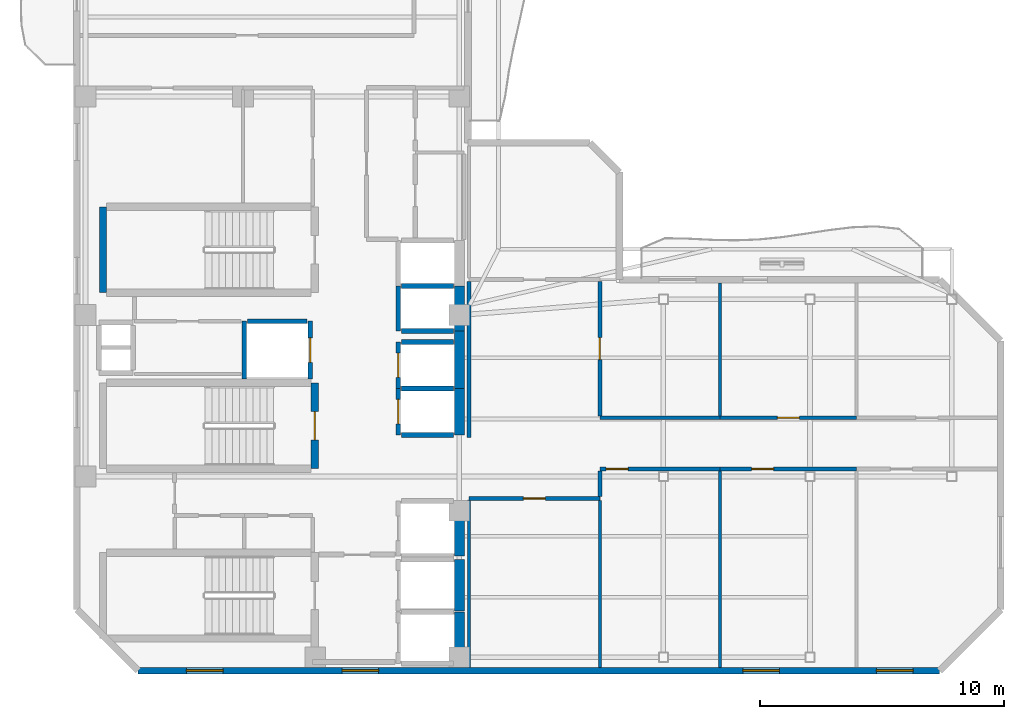
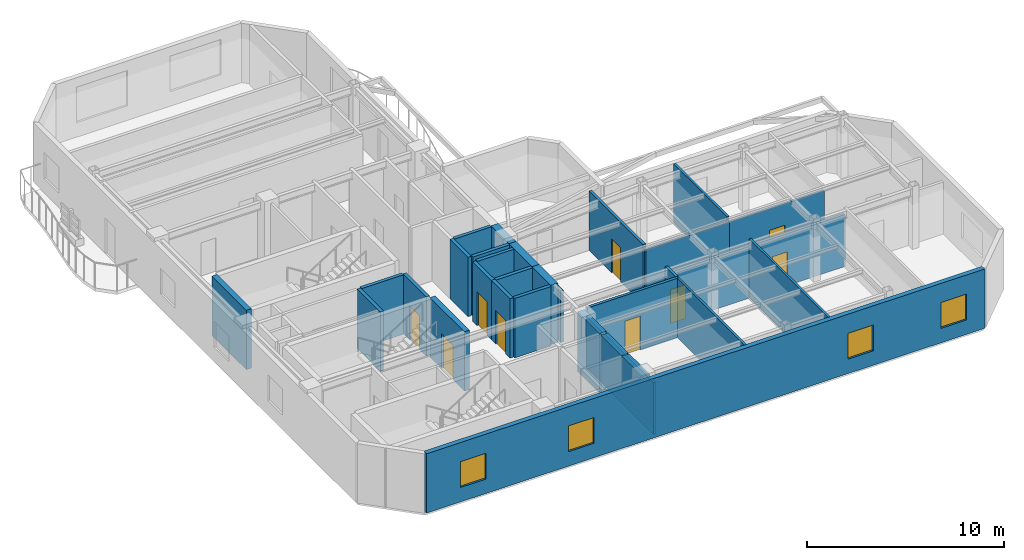
# One storey, part 3 of 7: 32 walls, 9 doors, 4 windows, 13 openings.
"""IFC4 building model written with IfcOpenShell, lengths in metres."""

from ifc_helpers import new_model, si_unit, direction, frame, frame_2d, origin, place, context, subcontext, project, spatial, rectangle, extrude, material, layer, layer_set, type_object, element, fill, save


model = new_model("IFC4")

# Units and contexts
model_context = context("Model", 3, precision=1e-05, world=origin(), true_north=direction((0.0, 1.0)))
body_context = subcontext(model_context, "Body", "Model", "MODEL_VIEW")
ifc_project = project(units=[si_unit("LENGTHUNIT", "METRE"), si_unit("AREAUNIT", "SQUARE_METRE"), si_unit("VOLUMEUNIT", "CUBIC_METRE"), si_unit("PLANEANGLEUNIT", "RADIAN"), si_unit("MASSUNIT", "GRAM", prefix="KILO")], contexts=[model_context])

# Site, building, storey
site_placement = place(None, origin())
site = spatial("IfcSite", under=ifc_project, at=site_placement, CompositionType="ELEMENT")
building_placement = place(site_placement, origin())
building = spatial("IfcBuilding", under=site, at=building_placement, Name="Mawjaban Terraces University", CompositionType="ELEMENT")
storey_placement = place(building_placement, frame((0.0, 0.0, 298.89990234375)))
storey = spatial("IfcBuildingStorey", under=building, at=storey_placement, Name="L73", CompositionType="ELEMENT", Elevation=298.89990234375)

# Walls
ifc_material_1 = material(Name="Concrete C50/60", Category="concrete")
ifc_layer_1 = layer(ifc_material_1, 0.419921875)
ifc_layer_set_1 = layer_set([ifc_layer_1], Name="Concrete C50/60")
wall_type_1 = type_object("IfcWallType", Name="CoreShearWall_420", PredefinedType="SHEAR", material=ifc_layer_set_1)
wall_1_placement = place(storey_placement, frame((37.659912109375, 0.300048828125, 0.0), z_axis=(0.0, 0.0, 1.0), x_axis=(0.0, 1.0, 0.0)))
element("IfcWall", 1, at=wall_1_placement, inside=storey, type_object=wall_type_1, Name="L73 Lift FL-1 Hoistway Wall East", PredefinedType="SHEAR", context=body_context, shape_type="SweptSolid", body=[
    extrude(rectangle(XDim=2.099853515625, YDim=0.419921875, at=frame_2d((1.0498046875, 0.0))), origin(), (0.0, 0.0, 1.0), 3.690185546875),
])
wall_2_placement = place(storey_placement, frame((37.659912109375, 2.449951171875, 0.0), z_axis=(0.0, 0.0, 1.0), x_axis=(0.0, 1.0, 0.0)))
element("IfcWall", 2, at=wall_2_placement, inside=storey, type_object=wall_type_1, Name="L73 Lift FL-2 Hoistway Wall East", PredefinedType="SHEAR", context=body_context, shape_type="SweptSolid", body=[
    extrude(rectangle(XDim=2.10009765625, YDim=0.419921875, at=frame_2d((1.050048828125, 0.0))), origin(), (0.0, 0.0, 1.0), 3.690185546875),
])
wall_3_placement = place(storey_placement, frame((37.659912109375, 4.699951171875, 0.0), z_axis=(0.0, 0.0, 1.0), x_axis=(0.0, 1.0, 0.0)))
element("IfcWall", 3, at=wall_3_placement, inside=storey, type_object=wall_type_1, Name="L73 Lift SL-1 Hoistway Wall East", PredefinedType="SHEAR", context=body_context, shape_type="SweptSolid", body=[
    extrude(rectangle(XDim=2.25, YDim=0.419921875, at=frame_2d((1.125, 0.0))), origin(), (0.0, 0.0, 1.0), 3.690185546875),
])
wall_4_placement = place(storey_placement, frame((37.659912109375, 9.64990234375, 0.0), z_axis=(0.0, 0.0, 1.0), x_axis=(0.0, 1.0, 0.0)))
element("IfcWall", 4, at=wall_4_placement, inside=storey, type_object=wall_type_1, Name="L73 Lift PL-H1 Hoistway Wall East", PredefinedType="SHEAR", context=body_context, shape_type="SweptSolid", body=[
    extrude(rectangle(XDim=1.900146484375, YDim=0.419921875, at=frame_2d((0.9501953125, 0.0))), origin(), (0.0, 0.0, 1.0), 3.690185546875),
])
wall_5_placement = place(storey_placement, frame((37.659912109375, 11.550048828125, 0.0), z_axis=(0.0, 0.0, 1.0), x_axis=(0.0, 1.0, 0.0)))
element("IfcWall", 5, at=wall_5_placement, inside=storey, type_object=wall_type_1, Name="L73 Lift PL-H2 Hoistway Wall East", PredefinedType="SHEAR", context=body_context, shape_type="SweptSolid", body=[
    extrude(rectangle(XDim=2.349853515625, YDim=0.419921875, at=frame_2d((1.1748046875, 0.0))), origin(), (0.0, 0.0, 1.0), 3.690185546875),
])
wall_6_placement = place(storey_placement, frame((37.659912109375, 13.89990234375, 0.0), z_axis=(0.0, 0.0, 1.0), x_axis=(0.0, 1.0, 0.0)))
element("IfcWall", 6, at=wall_6_placement, inside=storey, type_object=wall_type_1, Name="L73 Lift OL-1 Hoistway Wall East", PredefinedType="SHEAR", context=body_context, shape_type="SweptSolid", body=[
    extrude(rectangle(XDim=1.85009765625, YDim=0.419921875, at=frame_2d((0.925048828125, 0.0))), origin(), (0.0, 0.0, 1.0), 3.690185546875),
])

# Wall, opening, door
ifc_material_2 = material(Name="Fire-rated gypsum board on steel stud", Category="steel")
ifc_layer_2 = layer(ifc_material_2, 0.159912109375)
ifc_layer_set_2 = layer_set([ifc_layer_2], Name="Fire-rated gypsum board on steel stud")
wall_type_2 = type_object("IfcWallType", Name="CorridorPartition_160", PredefinedType="PARTITIONING", material=ifc_layer_set_2)
wall_7_placement = place(storey_placement, frame((38.050048828125, 7.050048828125, 0.0), z_axis=(0.0, 0.0, 1.0), x_axis=(1.0, 0.0, 0.0)))
wall_7 = element("IfcWall", 7, at=wall_7_placement, inside=storey, type_object=wall_type_2, Name="L73 Upper Research Hub Concourse Partition 16", PredefinedType="PARTITIONING", context=body_context, shape_type="SweptSolid", body=[
    extrude(rectangle(XDim=5.349853515625, YDim=0.159912109375, at=frame_2d((2.6748046875, 0.0))), origin(), (0.0, 0.0, 1.0), 3.690185546875),
])
opening_1_placement = place(wall_7_placement, frame((2.22509765625, 0.0, 0.0)))
opening_1 = element("IfcOpeningElement", 8, at=opening_1_placement, cuts=wall_7, Name="Opening ID-090", PredefinedType="OPENING", context=body_context, shape_type="SweptSolid", body=[
    extrude(rectangle(XDim=0.89990234375, YDim=2.10009765625, at=frame_2d((0.449951171875, 1.050048828125))), frame((0.0, 0.08984375, 0.0), z_axis=(0.0, -1.0, 0.0), x_axis=(1.0, 0.0, 0.0)), (0.0, 0.0, 1.0), 0.179931640625),
])
ifc_material_3 = material(Name="Powder-coated steel frame and solid acoustic timber leaf", Category="steel")
door_type_1 = type_object("IfcDoorType", Name="OfficeDoor_900x2100", OperationType="NOTDEFINED", PredefinedType="DOOR", material=ifc_material_3)
door_1_placement = place(opening_1_placement, origin())
door_1 = element("IfcDoor", 9, at=door_1_placement, inside=storey, type_object=door_type_1, Name="L73 Academic Counseling Room 1 Door", OperationType="SINGLE_SWING_LEFT", OverallHeight=2.10009765625, OverallWidth=0.89990234375, PredefinedType="DOOR", context=body_context, shape_type="SweptSolid", body=[
    extrude(rectangle(XDim=0.89990234375, YDim=2.10009765625, at=frame_2d((0.449951171875, 1.050048828125))), frame((0.0, 0.02490234375, 0.0), z_axis=(0.0, -1.0, 0.0), x_axis=(1.0, 0.0, 0.0)), (0.0, 0.0, 1.0), 0.050048828125),
])
fill(opening_1, door_1)

wall_8_placement = place(storey_placement, frame((43.39990234375, 8.25, 0.0), z_axis=(0.0, 0.0, 1.0), x_axis=(1.0, 0.0, 0.0)))
wall_8 = element("IfcWall", 10, at=wall_8_placement, inside=storey, type_object=wall_type_2, Name="L73 Upper East Research Corridor Partition 17", PredefinedType="PARTITIONING", context=body_context, shape_type="SweptSolid", body=[
    extrude(rectangle(XDim=4.920166015625, YDim=0.159912109375, at=frame_2d((2.4599609375, 0.0))), origin(), (0.0, 0.0, 1.0), 3.22705078125),
])
opening_2_placement = place(wall_8_placement, frame((0.260009765625, 0.0, 0.0)))
opening_2 = element("IfcOpeningElement", 11, at=opening_2_placement, cuts=wall_8, Name="Opening ID-090", PredefinedType="OPENING", context=body_context, shape_type="SweptSolid", body=[
    extrude(rectangle(XDim=0.89990234375, YDim=2.10009765625, at=frame_2d((0.449951171875, 1.050048828125))), frame((0.0, 0.08984375, 0.0), z_axis=(0.0, -1.0, 0.0), x_axis=(1.0, 0.0, 0.0)), (0.0, 0.0, 1.0), 0.179931640625),
])
door_2_placement = place(opening_2_placement, origin())
door_2 = element("IfcDoor", 12, at=door_2_placement, inside=storey, type_object=door_type_1, Name="L73 Academic Counseling Room 2 Door", OperationType="SINGLE_SWING_RIGHT", OverallHeight=2.10009765625, OverallWidth=0.89990234375, PredefinedType="DOOR", context=body_context, shape_type="SweptSolid", body=[
    extrude(rectangle(XDim=0.89990234375, YDim=2.10009765625, at=frame_2d((0.449951171875, 1.050048828125))), frame((0.0, 0.02490234375, 0.0), z_axis=(0.0, -1.0, 0.0), x_axis=(1.0, 0.0, 0.0)), (0.0, 0.0, 1.0), 0.050048828125),
])
fill(opening_2, door_2)

wall_9_placement = place(storey_placement, frame((48.320068359375, 8.25, 0.0), z_axis=(0.0, 0.0, 1.0), x_axis=(1.0, 0.0, 0.0)))
wall_9 = element("IfcWall", 13, at=wall_9_placement, inside=storey, type_object=wall_type_2, Name="L73 Upper East Research Corridor Partition 19", PredefinedType="PARTITIONING", context=body_context, shape_type="SweptSolid", body=[
    extrude(rectangle(XDim=5.579833984375, YDim=0.159912109375, at=frame_2d((2.7900390625, 0.0))), origin(), (0.0, 0.0, 1.0), 3.22705078125),
])
opening_3_placement = place(wall_9_placement, frame((1.2900390625, 0.0, 0.0)))
opening_3 = element("IfcOpeningElement", 14, at=opening_3_placement, cuts=wall_9, Name="Opening ID-090", PredefinedType="OPENING", context=body_context, shape_type="SweptSolid", body=[
    extrude(rectangle(XDim=0.89990234375, YDim=2.10009765625, at=frame_2d((0.449951171875, 1.050048828125))), frame((0.0, 0.08984375, 0.0), z_axis=(0.0, -1.0, 0.0), x_axis=(1.0, 0.0, 0.0)), (0.0, 0.0, 1.0), 0.179931640625),
])
door_3_placement = place(opening_3_placement, origin())
door_3 = element("IfcDoor", 15, at=door_3_placement, inside=storey, type_object=door_type_1, Name="L73 Academic Counseling Room 4 Door", OperationType="SINGLE_SWING_RIGHT", OverallHeight=2.10009765625, OverallWidth=0.89990234375, PredefinedType="DOOR", context=body_context, shape_type="SweptSolid", body=[
    extrude(rectangle(XDim=0.89990234375, YDim=2.10009765625, at=frame_2d((0.449951171875, 1.050048828125))), frame((0.0, 0.02490234375, 0.0), z_axis=(0.0, -1.0, 0.0), x_axis=(1.0, 0.0, 0.0)), (0.0, 0.0, 1.0), 0.050048828125),
])
fill(opening_3, door_3)

# Wall
wall_10_placement = place(storey_placement, frame((48.320068359375, 10.35009765625, 0.0), z_axis=(0.0, 0.0, 1.0), x_axis=(-1.0, 0.0, 0.0)))
element("IfcWall", 16, at=wall_10_placement, inside=storey, type_object=wall_type_2, Name="L73 Upper East Research Corridor Partition 20", PredefinedType="PARTITIONING", context=body_context, shape_type="SweptSolid", body=[
    extrude(rectangle(XDim=4.920166015625, YDim=0.159912109375, at=frame_2d((2.4599609375, 0.0))), origin(), (0.0, 0.0, 1.0), 3.424072265625),
])

# Wall, opening, door
wall_11_placement = place(storey_placement, frame((53.89990234375, 10.35009765625, 0.0), z_axis=(0.0, 0.0, 1.0), x_axis=(-1.0, 0.0, 0.0)))
wall_11 = element("IfcWall", 17, at=wall_11_placement, inside=storey, type_object=wall_type_2, Name="L73 Upper East Research Corridor Partition 22", PredefinedType="PARTITIONING", context=body_context, shape_type="SweptSolid", body=[
    extrude(rectangle(XDim=5.579833984375, YDim=0.159912109375, at=frame_2d((2.7900390625, 0.0))), origin(), (0.0, 0.0, 1.0), 3.424072265625),
])
opening_4_placement = place(wall_11_placement, frame((2.340087890625, 0.0, 0.0)))
opening_4 = element("IfcOpeningElement", 18, at=opening_4_placement, cuts=wall_11, Name="Opening ID-090", PredefinedType="OPENING", context=body_context, shape_type="SweptSolid", body=[
    extrude(rectangle(XDim=0.89990234375, YDim=2.10009765625, at=frame_2d((0.449951171875, 1.050048828125))), frame((0.0, 0.08984375, 0.0), z_axis=(0.0, -1.0, 0.0), x_axis=(1.0, 0.0, 0.0)), (0.0, 0.0, 1.0), 0.179931640625),
])
door_4_placement = place(opening_4_placement, origin())
door_4 = element("IfcDoor", 19, at=door_4_placement, inside=storey, type_object=door_type_1, Name="L73 Faculty Office 5 Door", OperationType="SINGLE_SWING_LEFT", OverallHeight=2.10009765625, OverallWidth=0.89990234375, PredefinedType="DOOR", context=body_context, shape_type="SweptSolid", body=[
    extrude(rectangle(XDim=0.89990234375, YDim=2.10009765625, at=frame_2d((0.449951171875, 1.050048828125))), frame((0.0, 0.02490234375, 0.0), z_axis=(0.0, -1.0, 0.0), x_axis=(1.0, 0.0, 0.0)), (0.0, 0.0, 1.0), 0.050048828125),
])
fill(opening_4, door_4)

# Walls
wall_12_placement = place(storey_placement, frame((38.050048828125, 15.925048828125, 0.0), z_axis=(0.0, 0.0, 1.0), x_axis=(0.0, -1.0, 0.0)))
element("IfcWall", 20, at=wall_12_placement, inside=storey, type_object=wall_type_2, Name="L73 Upper Research Hub Concourse Partition 39", PredefinedType="PARTITIONING", context=body_context, shape_type="SweptSolid", body=[
    extrude(rectangle(XDim=6.375, YDim=0.159912109375, at=frame_2d((3.1875, 0.0))), origin(), (0.0, 0.0, 1.0), 3.22705078125),
])
wall_13_placement = place(storey_placement, frame((43.39990234375, 7.125, 0.0), z_axis=(0.0, 0.0, 1.0), x_axis=(0.0, 1.0, 0.0)))
element("IfcWall", 21, at=wall_13_placement, inside=storey, type_object=wall_type_2, Name="L73 Upper Research Hub Concourse Partition 42", PredefinedType="PARTITIONING", context=body_context, shape_type="SweptSolid", body=[
    extrude(rectangle(XDim=1.050048828125, YDim=0.159912109375, at=frame_2d((0.52490234375, 0.0))), origin(), (0.0, 0.0, 1.0), 3.690185546875),
])

# Wall, opening, door
wall_14_placement = place(storey_placement, frame((43.39990234375, 10.425048828125, 0.0), z_axis=(0.0, 0.0, 1.0), x_axis=(0.0, 1.0, 0.0)))
wall_14 = element("IfcWall", 22, at=wall_14_placement, inside=storey, type_object=wall_type_2, Name="L73 Upper Research Hub Concourse Partition 43", PredefinedType="PARTITIONING", context=body_context, shape_type="SweptSolid", body=[
    extrude(rectangle(XDim=5.5, YDim=0.159912109375, at=frame_2d((2.75, 0.0))), origin(), (0.0, 0.0, 1.0), 3.690185546875),
])
opening_5_placement = place(wall_14_placement, frame((2.300048828125, 0.0, 0.0)))
opening_5 = element("IfcOpeningElement", 23, at=opening_5_placement, cuts=wall_14, Name="Opening ID-090", PredefinedType="OPENING", context=body_context, shape_type="SweptSolid", body=[
    extrude(rectangle(XDim=0.89990234375, YDim=2.10009765625, at=frame_2d((0.449951171875, 1.050048828125))), frame((0.0, 0.08984375, 0.0), z_axis=(0.0, -1.0, 0.0), x_axis=(1.0, 0.0, 0.0)), (0.0, 0.0, 1.0), 0.179931640625),
])
door_5_placement = place(opening_5_placement, origin())
door_5 = element("IfcDoor", 24, at=door_5_placement, inside=storey, type_object=door_type_1, Name="L73 Academic Counseling Room 3 Door", OperationType="SINGLE_SWING_LEFT", OverallHeight=2.10009765625, OverallWidth=0.89990234375, PredefinedType="DOOR", context=body_context, shape_type="SweptSolid", body=[
    extrude(rectangle(XDim=0.89990234375, YDim=2.10009765625, at=frame_2d((0.449951171875, 1.050048828125))), frame((0.0, 0.02490234375, 0.0), z_axis=(0.0, -1.0, 0.0), x_axis=(1.0, 0.0, 0.0)), (0.0, 0.0, 1.0), 0.050048828125),
])
fill(opening_5, door_5)

# Wall, openings, windows
ifc_material_4 = material(Name="Insulated terracotta rainscreen on concrete backup C40/50", Category="masonry")
ifc_layer_3 = layer(ifc_material_4, 0.27490234375)
ifc_layer_set_3 = layer_set([ifc_layer_3], Name="Insulated terracotta rainscreen on concrete backup C40/50")
wall_type_3 = type_object("IfcWallType", Name="ExtTerracottaWall_275", PredefinedType="SOLIDWALL", material=ifc_layer_set_3)
wall_15_placement = place(storey_placement, frame((24.5, 0.0, 0.0), z_axis=(0.0, 0.0, 1.0), x_axis=(1.0, 0.0, 0.0)))
wall_15 = element("IfcWall", 25, at=wall_15_placement, inside=storey, type_object=wall_type_3, Name="L73 Exterior Terracotta Wall 1", PredefinedType="SOLIDWALL", context=body_context, shape_type="SweptSolid", body=[
    extrude(rectangle(XDim=32.800048828125, YDim=0.27490234375, at=frame_2d((16.39990234375, 0.0))), origin(), (0.0, 0.0, 1.0), 3.690185546875),
])
opening_6_placement = place(wall_15_placement, frame((1.98291015625, 0.0, 0.89990234375)))
opening_6 = element("IfcOpeningElement", 26, at=opening_6_placement, cuts=wall_15, Name="Opening W-02", PredefinedType="OPENING", context=body_context, shape_type="SweptSolid", body=[
    extrude(rectangle(XDim=1.5, YDim=1.60009765625, at=frame_2d((0.75, 0.800048828125))), frame((0.0, 0.1474609375, 0.0), z_axis=(0.0, -1.0, 0.0), x_axis=(1.0, 0.0, 0.0)), (0.0, 0.0, 1.0), 0.294921875),
])
opening_7_placement = place(wall_15_placement, frame((8.35009765625, 0.0, 0.89990234375)))
opening_7 = element("IfcOpeningElement", 27, at=opening_7_placement, cuts=wall_15, Name="Opening W-02", PredefinedType="OPENING", context=body_context, shape_type="SweptSolid", body=[
    extrude(rectangle(XDim=1.5, YDim=1.60009765625, at=frame_2d((0.75, 0.800048828125))), frame((0.0, 0.1474609375, 0.0), z_axis=(0.0, -1.0, 0.0), x_axis=(1.0, 0.0, 0.0)), (0.0, 0.0, 1.0), 0.294921875),
])
opening_8_placement = place(wall_15_placement, frame((24.75, 0.0, 0.89990234375)))
opening_8 = element("IfcOpeningElement", 28, at=opening_8_placement, cuts=wall_15, Name="Opening W-02", PredefinedType="OPENING", context=body_context, shape_type="SweptSolid", body=[
    extrude(rectangle(XDim=1.5, YDim=1.60009765625, at=frame_2d((0.75, 0.800048828125))), frame((0.0, 0.1474609375, 0.0), z_axis=(0.0, -1.0, 0.0), x_axis=(1.0, 0.0, 0.0)), (0.0, 0.0, 1.0), 0.294921875),
])
opening_9_placement = place(wall_15_placement, frame((30.217041015625, 0.0, 0.89990234375)))
opening_9 = element("IfcOpeningElement", 29, at=opening_9_placement, cuts=wall_15, Name="Opening W-02", PredefinedType="OPENING", context=body_context, shape_type="SweptSolid", body=[
    extrude(rectangle(XDim=1.5, YDim=1.60009765625, at=frame_2d((0.75, 0.800048828125))), frame((0.0, 0.1474609375, 0.0), z_axis=(0.0, -1.0, 0.0), x_axis=(1.0, 0.0, 0.0)), (0.0, 0.0, 1.0), 0.294921875),
])
ifc_material_5 = material(Name="Low-E solar-control double glazing in thermally broken aluminium frame", Category="aluminium")
window_type = type_object("IfcWindowType", Name="Win_1500x1600", PartitioningType="SINGLE_PANEL", PredefinedType="WINDOW", material=ifc_material_5)
window_1_placement = place(opening_6_placement, origin())
window_1 = element("IfcWindow", 30, at=window_1_placement, inside=storey, type_object=window_type, Name="L73 Facade Window 1.1", OverallHeight=1.60009765625, OverallWidth=1.5, PartitioningType="SINGLE_PANEL", PredefinedType="WINDOW", context=body_context, shape_type="SweptSolid", body=[
    extrude(rectangle(XDim=1.5, YDim=1.60009765625, at=frame_2d((0.75, 0.800048828125))), frame((0.0, 0.030029296875, 0.0), z_axis=(0.0, -1.0, 0.0), x_axis=(1.0, 0.0, 0.0)), (0.0, 0.0, 1.0), 0.06005859375),
])
fill(opening_6, window_1)
window_2_placement = place(opening_7_placement, origin())
window_2 = element("IfcWindow", 31, at=window_2_placement, inside=storey, type_object=window_type, Name="L73 Facade Window 1.2", OverallHeight=1.60009765625, OverallWidth=1.5, PartitioningType="SINGLE_PANEL", PredefinedType="WINDOW", context=body_context, shape_type="SweptSolid", body=[
    extrude(rectangle(XDim=1.5, YDim=1.60009765625, at=frame_2d((0.75, 0.800048828125))), frame((0.0, 0.030029296875, 0.0), z_axis=(0.0, -1.0, 0.0), x_axis=(1.0, 0.0, 0.0)), (0.0, 0.0, 1.0), 0.06005859375),
])
fill(opening_7, window_2)
window_3_placement = place(opening_8_placement, origin())
window_3 = element("IfcWindow", 32, at=window_3_placement, inside=storey, type_object=window_type, Name="L73 Facade Window 1.5", OverallHeight=1.60009765625, OverallWidth=1.5, PartitioningType="SINGLE_PANEL", PredefinedType="WINDOW", context=body_context, shape_type="SweptSolid", body=[
    extrude(rectangle(XDim=1.5, YDim=1.60009765625, at=frame_2d((0.75, 0.800048828125))), frame((0.0, 0.030029296875, 0.0), z_axis=(0.0, -1.0, 0.0), x_axis=(1.0, 0.0, 0.0)), (0.0, 0.0, 1.0), 0.06005859375),
])
fill(opening_8, window_3)
window_4_placement = place(opening_9_placement, origin())
window_4 = element("IfcWindow", 33, at=window_4_placement, inside=storey, type_object=window_type, Name="L73 Facade Window 1.6", OverallHeight=1.60009765625, OverallWidth=1.5, PartitioningType="SINGLE_PANEL", PredefinedType="WINDOW", context=body_context, shape_type="SweptSolid", body=[
    extrude(rectangle(XDim=1.5, YDim=1.60009765625, at=frame_2d((0.75, 0.800048828125))), frame((0.0, 0.030029296875, 0.0), z_axis=(0.0, -1.0, 0.0), x_axis=(1.0, 0.0, 0.0)), (0.0, 0.0, 1.0), 0.06005859375),
])
fill(opening_9, window_4)

# Wall, opening, door
ifc_material_6 = material(Name="Concrete C40/50", Category="concrete")
ifc_layer_4 = layer(ifc_material_6, 0.199951171875)
ifc_layer_set_4 = layer_set([ifc_layer_4], Name="Concrete C40/50")
wall_type_4 = type_object("IfcWallType", Name="FireLobbyWall_200", PredefinedType="SOLIDWALL", material=ifc_layer_set_4)
wall_16_placement = place(storey_placement, frame((35.14990234375, 11.550048828125, 0.0), z_axis=(0.0, 0.0, 1.0), x_axis=(0.0, -1.0, 0.0)))
wall_16 = element("IfcWall", 34, at=wall_16_placement, inside=storey, type_object=wall_type_4, Name="L73 Lift PL-H1 Hoistway Wall West", PredefinedType="SOLIDWALL", context=body_context, shape_type="SweptSolid", body=[
    extrude(rectangle(XDim=1.900146484375, YDim=0.199951171875, at=frame_2d((0.9501953125, 0.0))), origin(), (0.0, 0.0, 1.0), 3.690185546875),
])
opening_10_placement = place(wall_16_placement, frame((0.449951171875, 0.0, 0.0)))
opening_10 = element("IfcOpeningElement", 35, at=opening_10_placement, cuts=wall_16, Name="Opening LD-PL-H1", PredefinedType="OPENING", context=body_context, shape_type="SweptSolid", body=[
    extrude(rectangle(XDim=1.0, YDim=2.10009765625, at=frame_2d((0.5, 1.050048828125))), frame((0.0, 0.10986328125, 0.0), z_axis=(0.0, -1.0, 0.0), x_axis=(1.0, 0.0, 0.0)), (0.0, 0.0, 1.0), 0.219970703125),
])
ifc_material_7 = material(Name="Powder-coated steel frame and fire-rated steel-faced leaf", Category="steel")
door_type_2 = type_object("IfcDoorType", Name="LiftLandingSliding_1000x2100", OperationType="NOTDEFINED", PredefinedType="DOOR", material=ifc_material_7)
door_6_placement = place(opening_10_placement, origin())
door_6 = element("IfcDoor", 36, at=door_6_placement, inside=storey, type_object=door_type_2, Name="L73 Lift PL-H1 Sliding Landing Door", OperationType="DOUBLE_DOOR_SLIDING", OverallHeight=2.10009765625, OverallWidth=1.0, PredefinedType="DOOR", context=body_context, shape_type="SweptSolid", body=[
    extrude(rectangle(XDim=1.0, YDim=2.10009765625, at=frame_2d((0.5, 1.050048828125))), frame((0.0, 0.02490234375, 0.0), z_axis=(0.0, -1.0, 0.0), x_axis=(1.0, 0.0, 0.0)), (0.0, 0.0, 1.0), 0.050048828125),
])
fill(opening_10, door_6)

# Walls
for number, where, z_axis, x_axis, name in (
    (37, (35.280029296875, 9.64990234375, 0.0), (0.0, 0.0, 1.0), (1.0, 0.0, 0.0), "L73 Lift PL-H1 Hoistway Wall South"),
    (38, (37.419921875, 11.550048828125, 0.0), (0.0, 0.0, 1.0), (-1.0, 0.0, 0.0), "L73 Lift PL-H1 Hoistway Wall North"),
):
    element("IfcWall", number, at=place(storey_placement, frame(where, z_axis=z_axis, x_axis=x_axis)), inside=storey, type_object=wall_type_4, Name=name, PredefinedType="SOLIDWALL", context=body_context, shape_type="SweptSolid", body=[
        extrude(rectangle(XDim=2.139892578125, YDim=0.199951171875, at=frame_2d((1.06982421875, 0.0))), origin(), (0.0, 0.0, 1.0), 3.690185546875),
    ])

# Wall, opening, door
wall_17_placement = place(storey_placement, frame((35.14990234375, 13.449951171875, 0.0), z_axis=(0.0, 0.0, 1.0), x_axis=(0.0, -1.0, 0.0)))
wall_17 = element("IfcWall", 39, at=wall_17_placement, inside=storey, type_object=wall_type_4, Name="L73 Lift PL-H2 Hoistway Wall West", PredefinedType="SOLIDWALL", context=body_context, shape_type="SweptSolid", body=[
    extrude(rectangle(XDim=1.89990234375, YDim=0.199951171875, at=frame_2d((0.949951171875, 0.0))), origin(), (0.0, 0.0, 1.0), 3.690185546875),
])
opening_11_placement = place(wall_17_placement, frame((0.449951171875, 0.0, 0.0)))
opening_11 = element("IfcOpeningElement", 40, at=opening_11_placement, cuts=wall_17, Name="Opening LD-PL-H2", PredefinedType="OPENING", context=body_context, shape_type="SweptSolid", body=[
    extrude(rectangle(XDim=1.0, YDim=2.10009765625, at=frame_2d((0.5, 1.050048828125))), frame((0.0, 0.10986328125, 0.0), z_axis=(0.0, -1.0, 0.0), x_axis=(1.0, 0.0, 0.0)), (0.0, 0.0, 1.0), 0.219970703125),
])
door_7_placement = place(opening_11_placement, origin())
door_7 = element("IfcDoor", 41, at=door_7_placement, inside=storey, type_object=door_type_2, Name="L73 Lift PL-H2 Sliding Landing Door", OperationType="DOUBLE_DOOR_SLIDING", OverallHeight=2.10009765625, OverallWidth=1.0, PredefinedType="DOOR", context=body_context, shape_type="SweptSolid", body=[
    extrude(rectangle(XDim=1.0, YDim=2.10009765625, at=frame_2d((0.5, 1.050048828125))), frame((0.0, 0.02490234375, 0.0), z_axis=(0.0, -1.0, 0.0), x_axis=(1.0, 0.0, 0.0)), (0.0, 0.0, 1.0), 0.050048828125),
])
fill(opening_11, door_7)

# Walls
wall_18_placement = place(storey_placement, frame((37.419921875, 13.449951171875, 0.0), z_axis=(0.0, 0.0, 1.0), x_axis=(-1.0, 0.0, 0.0)))
element("IfcWall", 42, at=wall_18_placement, inside=storey, type_object=wall_type_4, Name="L73 Lift PL-H2 Hoistway Wall North", PredefinedType="SOLIDWALL", context=body_context, shape_type="SweptSolid", body=[
    extrude(rectangle(XDim=2.139892578125, YDim=0.199951171875, at=frame_2d((1.06982421875, 0.0))), origin(), (0.0, 0.0, 1.0), 3.690185546875),
])
wall_19_placement = place(storey_placement, frame((28.85009765625, 14.300048828125, 0.0), z_axis=(0.0, 0.0, 1.0), x_axis=(0.0, -1.0, 0.0)))
element("IfcWall", 43, at=wall_19_placement, inside=storey, type_object=wall_type_4, Name="L73 Lift PL-H3 Hoistway Wall West", PredefinedType="SOLIDWALL", context=body_context, shape_type="SweptSolid", body=[
    extrude(rectangle(XDim=2.3701171875, YDim=0.199951171875, at=frame_2d((1.18505859375, 0.0))), origin(), (0.0, 0.0, 1.0), 3.690185546875),
])

# Wall, opening, door
wall_20_placement = place(storey_placement, frame((31.550048828125, 11.929931640625, 0.0), z_axis=(0.0, 0.0, 1.0), x_axis=(0.0, 1.0, 0.0)))
wall_20 = element("IfcWall", 44, at=wall_20_placement, inside=storey, type_object=wall_type_4, Name="L73 Lift PL-H3 Hoistway Wall East", PredefinedType="SOLIDWALL", context=body_context, shape_type="SweptSolid", body=[
    extrude(rectangle(XDim=2.3701171875, YDim=0.199951171875, at=frame_2d((1.18505859375, 0.0))), origin(), (0.0, 0.0, 1.0), 3.690185546875),
])
opening_12_placement = place(wall_20_placement, frame((0.68505859375, 0.0, 0.0)))
opening_12 = element("IfcOpeningElement", 45, at=opening_12_placement, cuts=wall_20, Name="Opening LD-PL-H3", PredefinedType="OPENING", context=body_context, shape_type="SweptSolid", body=[
    extrude(rectangle(XDim=1.0, YDim=2.10009765625, at=frame_2d((0.5, 1.050048828125))), frame((0.0, 0.10986328125, 0.0), z_axis=(0.0, -1.0, 0.0), x_axis=(1.0, 0.0, 0.0)), (0.0, 0.0, 1.0), 0.219970703125),
])
door_8_placement = place(opening_12_placement, origin())
door_8 = element("IfcDoor", 46, at=door_8_placement, inside=storey, type_object=door_type_2, Name="L73 Lift PL-H3 Sliding Landing Door", OperationType="DOUBLE_DOOR_SLIDING", OverallHeight=2.10009765625, OverallWidth=1.0, PredefinedType="DOOR", context=body_context, shape_type="SweptSolid", body=[
    extrude(rectangle(XDim=1.0, YDim=2.10009765625, at=frame_2d((0.5, 1.050048828125))), frame((0.0, 0.02490234375, 0.0), z_axis=(0.0, -1.0, 0.0), x_axis=(1.0, 0.0, 0.0)), (0.0, 0.0, 1.0), 0.050048828125),
])
fill(opening_12, door_8)

# Walls
wall_21_placement = place(storey_placement, frame((31.419921875, 14.300048828125, 0.0), z_axis=(0.0, 0.0, 1.0), x_axis=(-1.0, 0.0, 0.0)))
element("IfcWall", 47, at=wall_21_placement, inside=storey, type_object=wall_type_4, Name="L73 Lift PL-H3 Hoistway Wall North", PredefinedType="SOLIDWALL", context=body_context, shape_type="SweptSolid", body=[
    extrude(rectangle(XDim=2.43994140625, YDim=0.199951171875, at=frame_2d((1.219970703125, 0.0))), origin(), (0.0, 0.0, 1.0), 3.690185546875),
])
wall_22_placement = place(storey_placement, frame((35.14990234375, 15.75, 0.0), z_axis=(0.0, 0.0, 1.0), x_axis=(0.0, -1.0, 0.0)))
element("IfcWall", 48, at=wall_22_placement, inside=storey, type_object=wall_type_4, Name="L73 Lift OL-1 Hoistway Wall West", PredefinedType="SOLIDWALL", context=body_context, shape_type="SweptSolid", body=[
    extrude(rectangle(XDim=1.85009765625, YDim=0.199951171875, at=frame_2d((0.925048828125, 0.0))), origin(), (0.0, 0.0, 1.0), 3.690185546875),
])
for number, where, z_axis, x_axis, name in (
    (49, (35.280029296875, 13.89990234375, 0.0), (0.0, 0.0, 1.0), (1.0, 0.0, 0.0), "L73 Lift OL-1 Hoistway Wall South"),
    (50, (37.419921875, 15.75, 0.0), (0.0, 0.0, 1.0), (-1.0, 0.0, 0.0), "L73 Lift OL-1 Hoistway Wall North"),
):
    element("IfcWall", number, at=place(storey_placement, frame(where, z_axis=z_axis, x_axis=x_axis)), inside=storey, type_object=wall_type_4, Name=name, PredefinedType="SOLIDWALL", context=body_context, shape_type="SweptSolid", body=[
        extrude(rectangle(XDim=2.139892578125, YDim=0.199951171875, at=frame_2d((1.06982421875, 0.0))), origin(), (0.0, 0.0, 1.0), 3.690185546875),
    ])
ifc_material_8 = material(Name="Gypsum plasterboard on steel stud", Category="steel")
ifc_layer_5 = layer(ifc_material_8, 0.125)
ifc_layer_set_5 = layer_set([ifc_layer_5], Name="Gypsum plasterboard on steel stud")
wall_type_5 = type_object("IfcWallType", Name="OfficePartition_125", PredefinedType="PARTITIONING", material=ifc_layer_set_5)
wall_23_placement = place(storey_placement, frame((38.050048828125, 6.97509765625, 0.0), z_axis=(0.0, 0.0, 1.0), x_axis=(0.0, -1.0, 0.0)))
element("IfcWall", 51, at=wall_23_placement, inside=storey, type_object=wall_type_5, Name="L73 Academic Counseling Room 1 Partition 38", PredefinedType="PARTITIONING", context=body_context, shape_type="SweptSolid", body=[
    extrude(rectangle(XDim=6.842041015625, YDim=0.125, at=frame_2d((3.4208984375, 0.0))), origin(), (0.0, 0.0, 1.0), 3.22705078125),
])
wall_24_placement = place(storey_placement, frame((43.39990234375, 0.133056640625, 0.0), z_axis=(0.0, 0.0, 1.0), x_axis=(0.0, 1.0, 0.0)))
element("IfcWall", 52, at=wall_24_placement, inside=storey, type_object=wall_type_5, Name="L73 Academic Counseling Room 1 Partition 41", PredefinedType="PARTITIONING", context=body_context, shape_type="SweptSolid", body=[
    extrude(rectangle(XDim=6.842041015625, YDim=0.125, at=frame_2d((3.4208984375, 0.0))), origin(), (0.0, 0.0, 1.0), 3.690185546875),
])
wall_25_placement = place(storey_placement, frame((48.320068359375, 0.133056640625, 0.0), z_axis=(0.0, 0.0, 1.0), x_axis=(0.0, 1.0, 0.0)))
element("IfcWall", 53, at=wall_25_placement, inside=storey, type_object=wall_type_5, Name="L73 Academic Counseling Room 2 Partition 44", PredefinedType="PARTITIONING", context=body_context, shape_type="SweptSolid", body=[
    extrude(rectangle(XDim=8.0419921875, YDim=0.125, at=frame_2d((4.02099609375, 0.0))), origin(), (0.0, 0.0, 1.0), 3.690185546875),
])
wall_26_placement = place(storey_placement, frame((48.320068359375, 10.425048828125, 0.0), z_axis=(0.0, 0.0, 1.0), x_axis=(0.0, 1.0, 0.0)))
element("IfcWall", 54, at=wall_26_placement, inside=storey, type_object=wall_type_5, Name="L73 Academic Counseling Room 3 Partition 45", PredefinedType="PARTITIONING", context=body_context, shape_type="SweptSolid", body=[
    extrude(rectangle(XDim=5.44189453125, YDim=0.125, at=frame_2d((2.720947265625, 0.0))), origin(), (0.0, 0.0, 1.0), 3.690185546875),
])
ifc_material_9 = material(Name="Concrete C60/75", Category="concrete")
ifc_layer_6 = layer(ifc_material_9, 0.300048828125)
ifc_layer_set_6 = layer_set([ifc_layer_6], Name="Concrete C60/75")
wall_type_6 = type_object("IfcWallType", Name="StairShaftWall_300", PredefinedType="SHEAR", material=ifc_layer_set_6)
wall_27_placement = place(storey_placement, frame((23.070068359375, 18.97998046875, 0.0), z_axis=(0.0, 0.0, 1.0), x_axis=(0.0, -1.0, 0.0)))
element("IfcWall", 55, at=wall_27_placement, inside=storey, type_object=wall_type_6, Name="L73 ST-2 Stair Shaft Wall 2", PredefinedType="SHEAR", context=body_context, shape_type="SweptSolid", body=[
    extrude(rectangle(XDim=3.510009765625, YDim=0.300048828125, at=frame_2d((1.7548828125, 0.0))), origin(), (0.0, 0.0, 1.0), 3.690185546875),
])

# Wall, opening, door
wall_28_placement = place(storey_placement, frame((31.72998046875, 8.27001953125, 0.0), z_axis=(0.0, 0.0, 1.0), x_axis=(0.0, 1.0, 0.0)))
wall_28 = element("IfcWall", 56, at=wall_28_placement, inside=storey, type_object=wall_type_6, Name="L73 ST-3 Stair Shaft Wall 4", PredefinedType="SHEAR", context=body_context, shape_type="SweptSolid", body=[
    extrude(rectangle(XDim=3.510009765625, YDim=0.300048828125, at=frame_2d((1.7548828125, 0.0))), origin(), (0.0, 0.0, 1.0), 3.690185546875),
])
opening_13_placement = place(wall_28_placement, frame((1.179931640625, 0.0, 0.0)))
opening_13 = element("IfcOpeningElement", 57, at=opening_13_placement, cuts=wall_28, Name="Opening FD-115", PredefinedType="OPENING", context=body_context, shape_type="SweptSolid", body=[
    extrude(rectangle(XDim=1.14990234375, YDim=2.14990234375, at=frame_2d((0.574951171875, 1.074951171875))), frame((0.0, 0.159912109375, 0.0), z_axis=(0.0, -1.0, 0.0), x_axis=(1.0, 0.0, 0.0)), (0.0, 0.0, 1.0), 0.320068359375),
])
door_type_3 = type_object("IfcDoorType", Name="FireStairDoor_1150x2150", OperationType="NOTDEFINED", PredefinedType="DOOR", material=ifc_material_7)
door_9_placement = place(opening_13_placement, origin())
door_9 = element("IfcDoor", 58, at=door_9_placement, inside=storey, type_object=door_type_3, Name="L73 ST-3 Pressurised Stair Fire Door", OperationType="SINGLE_SWING_RIGHT", OverallHeight=2.14990234375, OverallWidth=1.14990234375, PredefinedType="DOOR", context=body_context, shape_type="SweptSolid", body=[
    extrude(rectangle(XDim=1.14990234375, YDim=2.14990234375, at=frame_2d((0.574951171875, 1.074951171875))), frame((0.0, 0.02490234375, 0.0), z_axis=(0.0, -1.0, 0.0), x_axis=(1.0, 0.0, 0.0)), (0.0, 0.0, 1.0), 0.050048828125),
])
fill(opening_13, door_9)

save(model, "model.ifc")
